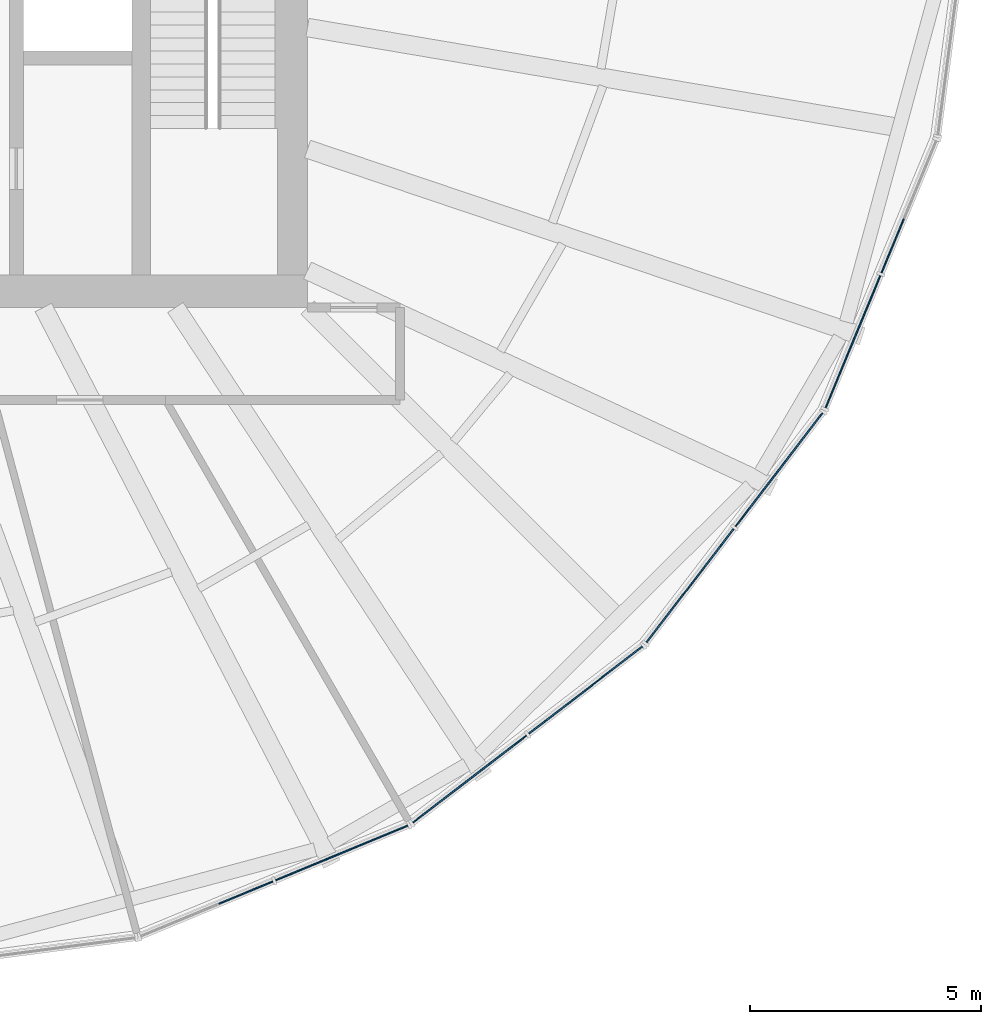
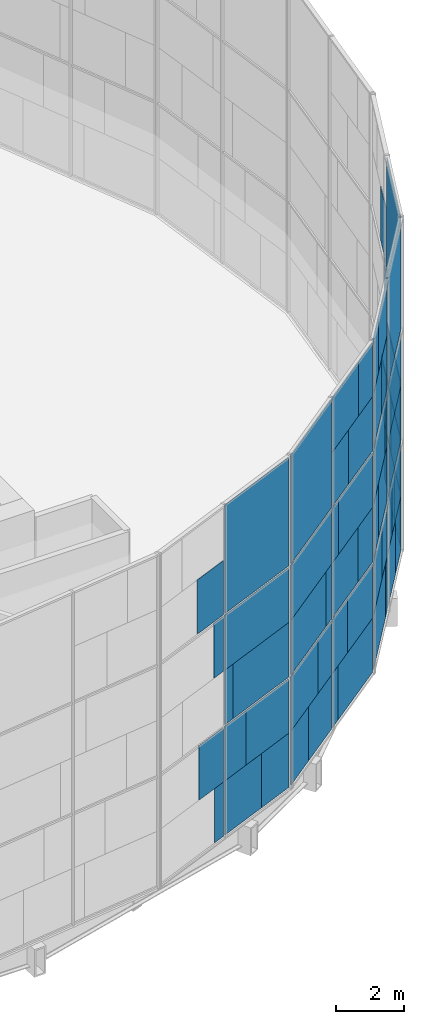
# One storey, part 13 of 22: 64 plates, 4 elements without a shape of their own.
"""IFC4 building model written with IfcOpenShell, lengths in metres."""

from ifc_helpers import new_model, si_unit, direction, frame, origin, origin_2d, place, context, subcontext, project, spatial, rectangle, extrude, material, layer, layer_set, type_object, element, aggregate, save


model = new_model("IFC4")

# Units and contexts
model_context = context("Model", 3, precision=1e-05, world=origin(), true_north=direction((0.0, 1.0)))
body_context = subcontext(model_context, "Body", "Model", "MODEL_VIEW")
ifc_project = project(units=[si_unit("LENGTHUNIT", "METRE"), si_unit("AREAUNIT", "SQUARE_METRE"), si_unit("VOLUMEUNIT", "CUBIC_METRE"), si_unit("PLANEANGLEUNIT", "RADIAN"), si_unit("MASSUNIT", "GRAM", prefix="KILO")], contexts=[model_context])

# Site, building, storey
site_placement = place(None, origin())
site = spatial("IfcSite", under=ifc_project, at=site_placement, CompositionType="ELEMENT")
building_placement = place(site_placement, origin())
building = spatial("IfcBuilding", under=site, at=building_placement, Name="Golbaran Civic Tower", CompositionType="ELEMENT")
storey_placement = place(building_placement, frame((0.0, 0.0, 90.0)))
storey = spatial("IfcBuildingStorey", under=building, at=storey_placement, Name="L21", CompositionType="ELEMENT", Elevation=90.0)

# Curtain wall, plates
ifc_material_1 = material(Name="Aluminium and glass", Category="aluminium")
curtain_wall_type = type_object("IfcCurtainWallType", Name="INNER SKIN CURTAIN WALL", PredefinedType="NOTDEFINED", material=ifc_material_1)
curtain_wall_1_placement = place(storey_placement, origin())
curtain_wall_1 = element("IfcCurtainWall", 1, at=curtain_wall_1_placement, inside=storey, type_object=curtain_wall_type, Name="Inner skin L21 facet 20 CW1", ObjectType="INNER SKIN", PredefinedType="USERDEFINED")
ifc_material_2 = material(Name="Clear insulating glass", Category="glass")
ifc_layer_1 = layer(ifc_material_2, 0.031982421875, Name="Clear insulating glass")
ifc_layer_set_1 = layer_set([ifc_layer_1], Name="Clear insulating glass")
plate_type_1 = type_object("IfcPlateType", Name="INNER SKIN CURTAIN WALL GLAZED PANEL", PredefinedType="CURTAIN_PANEL", material=ifc_layer_set_1)
plate_1_placement = place(storey_placement, frame((9.032958984375, -22.50830078125, 6.0), z_axis=(0.0, 0.0, 1.0), x_axis=(0.923879532511, 0.382683432365, 0.0)))
plate_1 = element("IfcPlate", 2, at=plate_1_placement, type_object=plate_type_1, Name="CW1 panel 1.2 part 4", PredefinedType="CURTAIN_PANEL", context=body_context, shape_type="SweptSolid", body=[
    extrude(rectangle(XDim=0.47119140625, YDim=0.031982421875, at=origin_2d()), origin(), (0.0, 0.0, 1.0), 1.967529296875),
])
plate_2_placement = place(storey_placement, frame((8.66796875, -22.659423828125, 8.032470703125), z_axis=(0.0, 0.0, 1.0), x_axis=(0.923879532511, 0.382683432365, 0.0)))
plate_2 = element("IfcPlate", 3, at=plate_2_placement, type_object=plate_type_1, Name="CW1 panel 1.3 part 2", PredefinedType="CURTAIN_PANEL", context=body_context, shape_type="SweptSolid", body=[
    extrude(rectangle(XDim=1.26123046875, YDim=0.031982421875, at=origin_2d()), origin(), (0.0, 0.0, 1.0), 1.951171875),
])
plate_3_placement = place(storey_placement, frame((11.557861328125, -21.46240234375, 0.06494140625), z_axis=(0.0, 0.0, 1.0), x_axis=(0.923879532511, 0.382683432365, 0.0)))
plate_3 = element("IfcPlate", 4, at=plate_3_placement, type_object=plate_type_1, Name="CW1 panel 2.1 part 2", PredefinedType="CURTAIN_PANEL", context=body_context, shape_type="SweptSolid", body=[
    extrude(rectangle(XDim=1.326416015625, YDim=0.031982421875, at=origin_2d()), origin(), (0.0, 0.0, 1.0), 1.951171875),
])
plate_4_placement = place(storey_placement, frame((11.20751953125, -21.607421875, 2.016357421875), z_axis=(0.0, 0.0, 1.0), x_axis=(0.923879532511, 0.382683432365, 0.0)))
plate_4 = element("IfcPlate", 5, at=plate_4_placement, type_object=plate_type_1, Name="CW1 panel 2.1 part 4", PredefinedType="CURTAIN_PANEL", context=body_context, shape_type="SweptSolid", body=[
    extrude(rectangle(XDim=2.084228515625, YDim=0.031982421875, at=origin_2d()), origin(), (0.0, 0.0, 1.0), 1.951171875),
])
plate_5_placement = place(storey_placement, frame((10.92529296875, -21.724365234375, 4.03271484375), z_axis=(0.0, 0.0, 1.0), x_axis=(0.923879532511, 0.382683432365, 0.0)))
plate_5 = element("IfcPlate", 6, at=plate_5_placement, type_object=plate_type_1, Name="CW1 panel 2.2 part 2", PredefinedType="CURTAIN_PANEL", context=body_context, shape_type="SweptSolid", body=[
    extrude(rectangle(XDim=2.6953125, YDim=0.031982421875, at=origin_2d()), origin(), (0.0, 0.0, 1.0), 1.967529296875),
])
plate_6_placement = place(storey_placement, frame((10.74072265625, -21.801025390625, 6.0), z_axis=(0.0, 0.0, 1.0), x_axis=(0.923879532511, 0.382683432365, 0.0)))
plate_6 = element("IfcPlate", 7, at=plate_6_placement, type_object=plate_type_1, Name="CW1 panel 2.2 part 3", PredefinedType="CURTAIN_PANEL", context=body_context, shape_type="SweptSolid", body=[
    extrude(rectangle(XDim=3.09521484375, YDim=0.031982421875, at=origin_2d()), origin(), (0.0, 0.0, 1.0), 1.967529296875),
])
plate_7_placement = place(storey_placement, frame((10.74072265625, -21.801025390625, 8.0322265625), z_axis=(0.0, 0.0, 1.0), x_axis=(0.923879532511, 0.382683432365, 0.0)))
plate_7 = element("IfcPlate", 8, at=plate_7_placement, type_object=plate_type_1, Name="CW1 panel 2.3", PredefinedType="CURTAIN_PANEL", context=body_context, shape_type="SweptSolid", body=[
    extrude(rectangle(XDim=3.09521484375, YDim=0.031982421875, at=origin_2d()), origin(), (0.0, 0.0, 1.0), 3.902587890625),
])

curtain_wall_2_placement = place(storey_placement, origin())
curtain_wall_2 = element("IfcCurtainWall", 9, at=curtain_wall_2_placement, inside=storey, type_object=curtain_wall_type, Name="Inner skin L21 facet 21 CW1", ObjectType="INNER SKIN", PredefinedType="USERDEFINED")
plate_8_placement = place(storey_placement, frame((12.80810546875, -20.74072265625, 0.06494140625), z_axis=(0.0, 0.0, 1.0), x_axis=(0.793353340344, 0.608761428939, 0.0)))
plate_8 = element("IfcPlate", 10, at=plate_8_placement, type_object=plate_type_1, Name="CW1 panel 1.1 part 1", PredefinedType="CURTAIN_PANEL", context=body_context, shape_type="SweptSolid", body=[
    extrude(rectangle(XDim=1.325927734375, YDim=0.031982421875, at=origin_2d()), origin(), (0.0, 0.0, 1.0), 1.951171875),
])
plate_9_placement = place(storey_placement, frame((13.108642578125, -20.510009765625, 2.016357421875), z_axis=(0.0, 0.0, 1.0), x_axis=(0.793353340344, 0.608761428939, 0.0)))
plate_9 = element("IfcPlate", 11, at=plate_9_placement, type_object=plate_type_1, Name="CW1 panel 1.1 part 3", PredefinedType="CURTAIN_PANEL", context=body_context, shape_type="SweptSolid", body=[
    extrude(rectangle(XDim=2.083984375, YDim=0.031982421875, at=origin_2d()), origin(), (0.0, 0.0, 1.0), 1.951171875),
])
plate_10_placement = place(storey_placement, frame((13.350830078125, -20.32421875, 4.03271484375), z_axis=(0.0, 0.0, 1.0), x_axis=(0.793353340344, 0.608761428939, 0.0)))
plate_10 = element("IfcPlate", 12, at=plate_10_placement, type_object=plate_type_1, Name="CW1 panel 1.2 part 1", PredefinedType="CURTAIN_PANEL", context=body_context, shape_type="SweptSolid", body=[
    extrude(rectangle(XDim=2.694091796875, YDim=0.031982421875, at=origin_2d()), origin(), (0.0, 0.0, 1.0), 1.967529296875),
])
plate_11_placement = place(storey_placement, frame((13.510009765625, -20.2021484375, 6.0), z_axis=(0.0, 0.0, 1.0), x_axis=(0.793353340344, 0.608761428939, 0.0)))
plate_11 = element("IfcPlate", 13, at=plate_11_placement, type_object=plate_type_1, Name="CW1 panel 1.2 part 3", PredefinedType="CURTAIN_PANEL", context=body_context, shape_type="SweptSolid", body=[
    extrude(rectangle(XDim=3.09521484375, YDim=0.031982421875, at=origin_2d()), origin(), (0.0, 0.0, 1.0), 1.967529296875),
])
plate_12_placement = place(storey_placement, frame((13.510009765625, -20.2021484375, 8.0322265625), z_axis=(0.0, 0.0, 1.0), x_axis=(0.793353340344, 0.608761428939, 0.0)))
plate_12 = element("IfcPlate", 14, at=plate_12_placement, type_object=plate_type_1, Name="CW1 panel 1.3", PredefinedType="CURTAIN_PANEL", context=body_context, shape_type="SweptSolid", body=[
    extrude(rectangle(XDim=3.09521484375, YDim=0.031982421875, at=origin_2d()), origin(), (0.0, 0.0, 1.0), 3.902587890625),
])
plate_13_placement = place(storey_placement, frame((16.1884765625, -18.146728515625, 0.06494140625), z_axis=(0.0, 0.0, 1.0), x_axis=(0.793353340344, 0.608761428939, 0.0)))
plate_13 = element("IfcPlate", 15, at=plate_13_placement, type_object=plate_type_1, Name="CW1 panel 2.1 part 2", PredefinedType="CURTAIN_PANEL", context=body_context, shape_type="SweptSolid", body=[
    extrude(rectangle(XDim=2.663330078125, YDim=0.031982421875, at=origin_2d()), origin(), (0.0, 0.0, 1.0), 1.951171875),
])
plate_14_placement = place(storey_placement, frame((16.4892578125, -17.916015625, 2.016357421875), z_axis=(0.0, 0.0, 1.0), x_axis=(0.793353340344, 0.608761428939, 0.0)))
plate_14 = element("IfcPlate", 16, at=plate_14_placement, type_object=plate_type_1, Name="CW1 panel 2.1 part 4", PredefinedType="CURTAIN_PANEL", context=body_context, shape_type="SweptSolid", body=[
    extrude(rectangle(XDim=1.9052734375, YDim=0.031982421875, at=origin_2d()), origin(), (0.0, 0.0, 1.0), 1.951171875),
])
plate_15_placement = place(storey_placement, frame((16.802490234375, -17.675537109375, 4.03271484375), z_axis=(0.0, 0.0, 1.0), x_axis=(0.793353340344, 0.608761428939, 0.0)))
plate_15 = element("IfcPlate", 17, at=plate_15_placement, type_object=plate_type_1, Name="CW1 panel 2.2 part 2", PredefinedType="CURTAIN_PANEL", context=body_context, shape_type="SweptSolid", body=[
    extrude(rectangle(XDim=1.115234375, YDim=0.031982421875, at=origin_2d()), origin(), (0.0, 0.0, 1.0), 1.967529296875),
])
plate_16_placement = place(storey_placement, frame((14.97607421875, -19.0771484375, 6.0), z_axis=(0.0, 0.0, 1.0), x_axis=(0.793353340344, 0.608761428939, 0.0)))
plate_16 = element("IfcPlate", 18, at=plate_16_placement, type_object=plate_type_1, Name="CW1 panel 2.2 part 3", PredefinedType="CURTAIN_PANEL", context=body_context, shape_type="SweptSolid", body=[
    extrude(rectangle(XDim=0.470947265625, YDim=0.031982421875, at=origin_2d()), origin(), (0.0, 0.0, 1.0), 1.967529296875),
])
plate_17_placement = place(storey_placement, frame((15.28955078125, -18.836669921875, 8.032470703125), z_axis=(0.0, 0.0, 1.0), x_axis=(0.793353340344, 0.608761428939, 0.0)))
plate_17 = element("IfcPlate", 19, at=plate_17_placement, type_object=plate_type_1, Name="CW1 panel 2.3 part 1", PredefinedType="CURTAIN_PANEL", context=body_context, shape_type="SweptSolid", body=[
    extrude(rectangle(XDim=1.260986328125, YDim=0.031982421875, at=origin_2d()), origin(), (0.0, 0.0, 1.0), 1.951171875),
])
plate_18_placement = place(storey_placement, frame((15.590576171875, -18.60546875, 9.98388671875), z_axis=(0.0, 0.0, 1.0), x_axis=(0.793353340344, 0.608761428939, 0.0)))
plate_18 = element("IfcPlate", 20, at=plate_18_placement, type_object=plate_type_1, Name="CW1 panel 2.3 part 3", PredefinedType="CURTAIN_PANEL", context=body_context, shape_type="SweptSolid", body=[
    extrude(rectangle(XDim=2.02001953125, YDim=0.031982421875, at=origin_2d()), origin(), (0.0, 0.0, 1.0), 1.951171875),
])

curtain_wall_3_placement = place(storey_placement, origin())
curtain_wall_3 = element("IfcCurtainWall", 21, at=curtain_wall_3_placement, inside=storey, type_object=curtain_wall_type, Name="Inner skin L21 facet 22 CW1", ObjectType="INNER SKIN", PredefinedType="USERDEFINED")
plate_19_placement = place(storey_placement, frame((18.146728515625, -16.188720703125, 0.06494140625), z_axis=(0.0, 0.0, 1.0), x_axis=(0.608761428939, 0.793353340344, 0.0)))
plate_19 = element("IfcPlate", 22, at=plate_19_placement, type_object=plate_type_1, Name="CW1 panel 1.1 part 1", PredefinedType="CURTAIN_PANEL", context=body_context, shape_type="SweptSolid", body=[
    extrude(rectangle(XDim=2.6630859375, YDim=0.031982421875, at=origin_2d()), origin(), (0.0, 0.0, 1.0), 1.951171875),
])
plate_20_placement = place(storey_placement, frame((17.916015625, -16.4892578125, 2.016357421875), z_axis=(0.0, 0.0, 1.0), x_axis=(0.608761428939, 0.793353340344, 0.0)))
plate_20 = element("IfcPlate", 23, at=plate_20_placement, type_object=plate_type_1, Name="CW1 panel 1.1 part 3", PredefinedType="CURTAIN_PANEL", context=body_context, shape_type="SweptSolid", body=[
    extrude(rectangle(XDim=1.905029296875, YDim=0.031982421875, at=origin_2d()), origin(), (0.0, 0.0, 1.0), 1.951171875),
])
plate_21_placement = place(storey_placement, frame((17.67578125, -16.80224609375, 4.03271484375), z_axis=(0.0, 0.0, 1.0), x_axis=(0.608761428939, 0.793353340344, 0.0)))
plate_21 = element("IfcPlate", 24, at=plate_21_placement, type_object=plate_type_1, Name="CW1 panel 1.2 part 1", PredefinedType="CURTAIN_PANEL", context=body_context, shape_type="SweptSolid", body=[
    extrude(rectangle(XDim=1.115966796875, YDim=0.031982421875, at=origin_2d()), origin(), (0.0, 0.0, 1.0), 1.967529296875),
])
plate_22_placement = place(storey_placement, frame((19.076904296875, -14.976318359375, 6.0), z_axis=(0.0, 0.0, 1.0), x_axis=(0.608761428939, 0.793353340344, 0.0)))
plate_22 = element("IfcPlate", 25, at=plate_22_placement, type_object=plate_type_1, Name="CW1 panel 1.2 part 4", PredefinedType="CURTAIN_PANEL", context=body_context, shape_type="SweptSolid", body=[
    extrude(rectangle(XDim=0.47119140625, YDim=0.031982421875, at=origin_2d()), origin(), (0.0, 0.0, 1.0), 1.967529296875),
])
plate_23_placement = place(storey_placement, frame((18.83642578125, -15.28955078125, 8.032470703125), z_axis=(0.0, 0.0, 1.0), x_axis=(0.608761428939, 0.793353340344, 0.0)))
plate_23 = element("IfcPlate", 26, at=plate_23_placement, type_object=plate_type_1, Name="CW1 panel 1.3 part 2", PredefinedType="CURTAIN_PANEL", context=body_context, shape_type="SweptSolid", body=[
    extrude(rectangle(XDim=1.26123046875, YDim=0.031982421875, at=origin_2d()), origin(), (0.0, 0.0, 1.0), 1.951171875),
])
plate_24_placement = place(storey_placement, frame((18.605712890625, -15.59033203125, 9.98388671875), z_axis=(0.0, 0.0, 1.0), x_axis=(0.608761428939, 0.793353340344, 0.0)))
plate_24 = element("IfcPlate", 27, at=plate_24_placement, type_object=plate_type_1, Name="CW1 panel 1.3 part 4", PredefinedType="CURTAIN_PANEL", context=body_context, shape_type="SweptSolid", body=[
    extrude(rectangle(XDim=2.019287109375, YDim=0.031982421875, at=origin_2d()), origin(), (0.0, 0.0, 1.0), 1.951171875),
])
plate_25_placement = place(storey_placement, frame((20.740478515625, -12.80810546875, 0.06494140625), z_axis=(0.0, 0.0, 1.0), x_axis=(0.608761428939, 0.793353340344, 0.0)))
plate_25 = element("IfcPlate", 28, at=plate_25_placement, type_object=plate_type_1, Name="CW1 panel 2.1 part 2", PredefinedType="CURTAIN_PANEL", context=body_context, shape_type="SweptSolid", body=[
    extrude(rectangle(XDim=1.326416015625, YDim=0.031982421875, at=origin_2d()), origin(), (0.0, 0.0, 1.0), 1.951171875),
])
plate_26_placement = place(storey_placement, frame((20.509765625, -13.10888671875, 2.016357421875), z_axis=(0.0, 0.0, 1.0), x_axis=(0.608761428939, 0.793353340344, 0.0)))
plate_26 = element("IfcPlate", 29, at=plate_26_placement, type_object=plate_type_1, Name="CW1 panel 2.1 part 4", PredefinedType="CURTAIN_PANEL", context=body_context, shape_type="SweptSolid", body=[
    extrude(rectangle(XDim=2.084228515625, YDim=0.031982421875, at=origin_2d()), origin(), (0.0, 0.0, 1.0), 1.951171875),
])
plate_27_placement = place(storey_placement, frame((20.323974609375, -13.351318359375, 4.03271484375), z_axis=(0.0, 0.0, 1.0), x_axis=(0.608761428939, 0.793353340344, 0.0)))
plate_27 = element("IfcPlate", 30, at=plate_27_placement, type_object=plate_type_1, Name="CW1 panel 2.2 part 2", PredefinedType="CURTAIN_PANEL", context=body_context, shape_type="SweptSolid", body=[
    extrude(rectangle(XDim=2.6953125, YDim=0.031982421875, at=origin_2d()), origin(), (0.0, 0.0, 1.0), 1.967529296875),
])
plate_28_placement = place(storey_placement, frame((20.2021484375, -13.510009765625, 6.0), z_axis=(0.0, 0.0, 1.0), x_axis=(0.608761428939, 0.793353340344, 0.0)))
plate_28 = element("IfcPlate", 31, at=plate_28_placement, type_object=plate_type_1, Name="CW1 panel 2.2 part 3", PredefinedType="CURTAIN_PANEL", context=body_context, shape_type="SweptSolid", body=[
    extrude(rectangle(XDim=3.09521484375, YDim=0.031982421875, at=origin_2d()), origin(), (0.0, 0.0, 1.0), 1.967529296875),
])
plate_29_placement = place(storey_placement, frame((20.2021484375, -13.510009765625, 8.0322265625), z_axis=(0.0, 0.0, 1.0), x_axis=(0.608761428939, 0.793353340344, 0.0)))
plate_29 = element("IfcPlate", 32, at=plate_29_placement, type_object=plate_type_1, Name="CW1 panel 2.3", PredefinedType="CURTAIN_PANEL", context=body_context, shape_type="SweptSolid", body=[
    extrude(rectangle(XDim=3.09521484375, YDim=0.031982421875, at=origin_2d()), origin(), (0.0, 0.0, 1.0), 3.902587890625),
])

curtain_wall_4_placement = place(storey_placement, origin())
curtain_wall_4 = element("IfcCurtainWall", 33, at=curtain_wall_4_placement, inside=storey, type_object=curtain_wall_type, Name="Inner skin L21 facet 23 CW1", ObjectType="INNER SKIN", PredefinedType="USERDEFINED")
plate_30_placement = place(storey_placement, frame((21.46240234375, -11.557861328125, 0.06494140625), z_axis=(0.0, 0.0, 1.0), x_axis=(0.382683432365, 0.923879532511, 0.0)))
plate_30 = element("IfcPlate", 34, at=plate_30_placement, type_object=plate_type_1, Name="CW1 panel 1.1 part 1", PredefinedType="CURTAIN_PANEL", context=body_context, shape_type="SweptSolid", body=[
    extrude(rectangle(XDim=1.325927734375, YDim=0.031982421875, at=origin_2d()), origin(), (0.0, 0.0, 1.0), 1.951171875),
])
plate_31_placement = place(storey_placement, frame((21.607421875, -11.207763671875, 2.016357421875), z_axis=(0.0, 0.0, 1.0), x_axis=(0.382683432365, 0.923879532511, 0.0)))
plate_31 = element("IfcPlate", 35, at=plate_31_placement, type_object=plate_type_1, Name="CW1 panel 1.1 part 3", PredefinedType="CURTAIN_PANEL", context=body_context, shape_type="SweptSolid", body=[
    extrude(rectangle(XDim=2.083984375, YDim=0.031982421875, at=origin_2d()), origin(), (0.0, 0.0, 1.0), 1.951171875),
])
plate_32_placement = place(storey_placement, frame((21.72412109375, -10.926025390625, 4.03271484375), z_axis=(0.0, 0.0, 1.0), x_axis=(0.382683432365, 0.923879532511, 0.0)))
plate_32 = element("IfcPlate", 36, at=plate_32_placement, type_object=plate_type_1, Name="CW1 panel 1.2 part 1", PredefinedType="CURTAIN_PANEL", context=body_context, shape_type="SweptSolid", body=[
    extrude(rectangle(XDim=2.694091796875, YDim=0.031982421875, at=origin_2d()), origin(), (0.0, 0.0, 1.0), 1.967529296875),
])
plate_33_placement = place(storey_placement, frame((21.801025390625, -10.74072265625, 6.0), z_axis=(0.0, 0.0, 1.0), x_axis=(0.382683432365, 0.923879532511, 0.0)))
plate_33 = element("IfcPlate", 37, at=plate_33_placement, type_object=plate_type_1, Name="CW1 panel 1.2 part 3", PredefinedType="CURTAIN_PANEL", context=body_context, shape_type="SweptSolid", body=[
    extrude(rectangle(XDim=3.09521484375, YDim=0.031982421875, at=origin_2d()), origin(), (0.0, 0.0, 1.0), 1.967529296875),
])
plate_34_placement = place(storey_placement, frame((21.801025390625, -10.74072265625, 8.0322265625), z_axis=(0.0, 0.0, 1.0), x_axis=(0.382683432365, 0.923879532511, 0.0)))
plate_34 = element("IfcPlate", 38, at=plate_34_placement, type_object=plate_type_1, Name="CW1 panel 1.3", PredefinedType="CURTAIN_PANEL", context=body_context, shape_type="SweptSolid", body=[
    extrude(rectangle(XDim=3.09521484375, YDim=0.031982421875, at=origin_2d()), origin(), (0.0, 0.0, 1.0), 3.902587890625),
])
plate_35_placement = place(storey_placement, frame((22.50830078125, -9.033203125, 6.0), z_axis=(0.0, 0.0, 1.0), x_axis=(0.382683432365, 0.923879532511, 0.0)))
plate_35 = element("IfcPlate", 39, at=plate_35_placement, type_object=plate_type_1, Name="CW1 panel 2.2 part 3", PredefinedType="CURTAIN_PANEL", context=body_context, shape_type="SweptSolid", body=[
    extrude(rectangle(XDim=0.470947265625, YDim=0.031982421875, at=origin_2d()), origin(), (0.0, 0.0, 1.0), 1.967529296875),
])
plate_36_placement = place(storey_placement, frame((22.659423828125, -8.668212890625, 8.032470703125), z_axis=(0.0, 0.0, 1.0), x_axis=(0.382683432365, 0.923879532511, 0.0)))
plate_36 = element("IfcPlate", 40, at=plate_36_placement, type_object=plate_type_1, Name="CW1 panel 2.3 part 1", PredefinedType="CURTAIN_PANEL", context=body_context, shape_type="SweptSolid", body=[
    extrude(rectangle(XDim=1.260986328125, YDim=0.031982421875, at=origin_2d()), origin(), (0.0, 0.0, 1.0), 1.951171875),
])

# Plate
ifc_material_3 = material(Name="Aluminium faced opaque infill panel", Category="aluminium")
ifc_layer_2 = layer(ifc_material_3, 0.031982421875, Name="Aluminium faced opaque infill panel")
ifc_layer_set_2 = layer_set([ifc_layer_2], Name="Aluminium faced opaque infill panel")
plate_type_2 = type_object("IfcPlateType", Name="INNER SKIN CURTAIN WALL OPAQUE INFILL PANEL", PredefinedType="CURTAIN_PANEL", material=ifc_layer_set_2)
plate_37_placement = place(storey_placement, frame((9.051025390625, -22.500732421875, 0.06494140625), z_axis=(0.0, 0.0, 1.0), x_axis=(0.923879532511, 0.382683432365, 0.0)))
plate_37 = element("IfcPlate", 41, at=plate_37_placement, type_object=plate_type_2, Name="CW1 infill panel 1.1 part 2", PredefinedType="CURTAIN_PANEL", context=body_context, shape_type="SweptSolid", body=[
    extrude(rectangle(XDim=0.432373046875, YDim=0.031982421875, at=origin_2d()), origin(), (0.0, 0.0, 1.0), 1.951171875),
])

plate_38_placement = place(storey_placement, frame((8.700927734375, -22.645751953125, 2.016357421875), z_axis=(0.0, 0.0, 1.0), x_axis=(0.923879532511, 0.382683432365, 0.0)))
plate_38 = element("IfcPlate", 42, at=plate_38_placement, type_object=plate_type_2, Name="CW1 infill panel 1.1 part 4", PredefinedType="CURTAIN_PANEL", context=body_context, shape_type="SweptSolid", body=[
    extrude(rectangle(XDim=1.190185546875, YDim=0.031982421875, at=origin_2d()), origin(), (0.0, 0.0, 1.0), 1.951171875),
])

plate_39_placement = place(storey_placement, frame((10.1279296875, -22.0546875, 0.06494140625), z_axis=(0.0, 0.0, 1.0), x_axis=(0.923879532511, 0.382683432365, 0.0)))
plate_39 = element("IfcPlate", 43, at=plate_39_placement, type_object=plate_type_2, Name="CW1 infill panel 2.1 part 1", PredefinedType="CURTAIN_PANEL", context=body_context, shape_type="SweptSolid", body=[
    extrude(rectangle(XDim=1.76904296875, YDim=0.031982421875, at=origin_2d()), origin(), (0.0, 0.0, 1.0), 1.951171875),
])

plate_40_placement = place(storey_placement, frame((9.77783203125, -22.19970703125, 2.016357421875), z_axis=(0.0, 0.0, 1.0), x_axis=(0.923879532511, 0.382683432365, 0.0)))
plate_40 = element("IfcPlate", 44, at=plate_40_placement, type_object=plate_type_2, Name="CW1 infill panel 2.1 part 3", PredefinedType="CURTAIN_PANEL", context=body_context, shape_type="SweptSolid", body=[
    extrude(rectangle(XDim=1.010986328125, YDim=0.031982421875, at=origin_2d()), origin(), (0.0, 0.0, 1.0), 1.951171875),
])

plate_41_placement = place(storey_placement, frame((9.49560546875, -22.316650390625, 4.03271484375), z_axis=(0.0, 0.0, 1.0), x_axis=(0.923879532511, 0.382683432365, 0.0)))
plate_41 = element("IfcPlate", 45, at=plate_41_placement, type_object=plate_type_2, Name="CW1 infill panel 2.2 part 1", PredefinedType="CURTAIN_PANEL", context=body_context, shape_type="SweptSolid", body=[
    extrude(rectangle(XDim=0.39990234375, YDim=0.031982421875, at=origin_2d()), origin(), (0.0, 0.0, 1.0), 1.967529296875),
])

aggregate(curtain_wall_1, [plate_37, plate_38, plate_1, plate_2, plate_39, plate_3, plate_40, plate_4, plate_41, plate_5, plate_6, plate_7])

plate_42_placement = place(storey_placement, frame((14.035888671875, -19.798583984375, 0.06494140625), z_axis=(0.0, 0.0, 1.0), x_axis=(0.793353340344, 0.608761428939, 0.0)))
plate_42 = element("IfcPlate", 46, at=plate_42_placement, type_object=plate_type_2, Name="CW1 infill panel 1.1 part 2", PredefinedType="CURTAIN_PANEL", context=body_context, shape_type="SweptSolid", body=[
    extrude(rectangle(XDim=1.769287109375, YDim=0.031982421875, at=origin_2d()), origin(), (0.0, 0.0, 1.0), 1.951171875),
])

plate_43_placement = place(storey_placement, frame((14.336669921875, -19.56787109375, 2.016357421875), z_axis=(0.0, 0.0, 1.0), x_axis=(0.793353340344, 0.608761428939, 0.0)))
plate_43 = element("IfcPlate", 47, at=plate_43_placement, type_object=plate_type_2, Name="CW1 infill panel 1.1 part 4", PredefinedType="CURTAIN_PANEL", context=body_context, shape_type="SweptSolid", body=[
    extrude(rectangle(XDim=1.01123046875, YDim=0.031982421875, at=origin_2d()), origin(), (0.0, 0.0, 1.0), 1.951171875),
])

plate_44_placement = place(storey_placement, frame((14.57861328125, -19.382080078125, 4.03271484375), z_axis=(0.0, 0.0, 1.0), x_axis=(0.793353340344, 0.608761428939, 0.0)))
plate_44 = element("IfcPlate", 48, at=plate_44_placement, type_object=plate_type_2, Name="CW1 infill panel 1.2 part 2", PredefinedType="CURTAIN_PANEL", context=body_context, shape_type="SweptSolid", body=[
    extrude(rectangle(XDim=0.4013671875, YDim=0.031982421875, at=origin_2d()), origin(), (0.0, 0.0, 1.0), 1.967529296875),
])

plate_45_placement = place(storey_placement, frame((14.960693359375, -19.0888671875, 0.06494140625), z_axis=(0.0, 0.0, 1.0), x_axis=(0.793353340344, 0.608761428939, 0.0)))
plate_45 = element("IfcPlate", 49, at=plate_45_placement, type_object=plate_type_2, Name="CW1 infill panel 2.1 part 1", PredefinedType="CURTAIN_PANEL", context=body_context, shape_type="SweptSolid", body=[
    extrude(rectangle(XDim=0.431884765625, YDim=0.031982421875, at=origin_2d()), origin(), (0.0, 0.0, 1.0), 1.951171875),
])

plate_46_placement = place(storey_placement, frame((15.26123046875, -18.858154296875, 2.016357421875), z_axis=(0.0, 0.0, 1.0), x_axis=(0.793353340344, 0.608761428939, 0.0)))
plate_46 = element("IfcPlate", 50, at=plate_46_placement, type_object=plate_type_2, Name="CW1 infill panel 2.1 part 3", PredefinedType="CURTAIN_PANEL", context=body_context, shape_type="SweptSolid", body=[
    extrude(rectangle(XDim=1.18994140625, YDim=0.031982421875, at=origin_2d()), origin(), (0.0, 0.0, 1.0), 1.951171875),
])

plate_47_placement = place(storey_placement, frame((15.57470703125, -18.61767578125, 4.03271484375), z_axis=(0.0, 0.0, 1.0), x_axis=(0.793353340344, 0.608761428939, 0.0)))
plate_47 = element("IfcPlate", 51, at=plate_47_placement, type_object=plate_type_2, Name="CW1 infill panel 2.2 part 1", PredefinedType="CURTAIN_PANEL", context=body_context, shape_type="SweptSolid", body=[
    extrude(rectangle(XDim=1.97998046875, YDim=0.031982421875, at=origin_2d()), origin(), (0.0, 0.0, 1.0), 1.967529296875),
])

plate_48_placement = place(storey_placement, frame((16.203857421875, -18.135009765625, 6.0), z_axis=(0.0, 0.0, 1.0), x_axis=(0.793353340344, 0.608761428939, 0.0)))
plate_48 = element("IfcPlate", 52, at=plate_48_placement, type_object=plate_type_2, Name="CW1 infill panel 2.2 part 4", PredefinedType="CURTAIN_PANEL", context=body_context, shape_type="SweptSolid", body=[
    extrude(rectangle(XDim=2.624267578125, YDim=0.031982421875, at=origin_2d()), origin(), (0.0, 0.0, 1.0), 1.967529296875),
])

plate_49_placement = place(storey_placement, frame((16.517333984375, -17.89453125, 8.032470703125), z_axis=(0.0, 0.0, 1.0), x_axis=(0.793353340344, 0.608761428939, 0.0)))
plate_49 = element("IfcPlate", 53, at=plate_49_placement, type_object=plate_type_2, Name="CW1 infill panel 2.3 part 2", PredefinedType="CURTAIN_PANEL", context=body_context, shape_type="SweptSolid", body=[
    extrude(rectangle(XDim=1.834228515625, YDim=0.031982421875, at=origin_2d()), origin(), (0.0, 0.0, 1.0), 1.951171875),
])

plate_50_placement = place(storey_placement, frame((16.818359375, -17.663330078125, 9.98388671875), z_axis=(0.0, 0.0, 1.0), x_axis=(0.793353340344, 0.608761428939, 0.0)))
plate_50 = element("IfcPlate", 54, at=plate_50_placement, type_object=plate_type_2, Name="CW1 infill panel 2.3 part 4", PredefinedType="CURTAIN_PANEL", context=body_context, shape_type="SweptSolid", body=[
    extrude(rectangle(XDim=1.0751953125, YDim=0.031982421875, at=origin_2d()), origin(), (0.0, 0.0, 1.0), 1.951171875),
])

aggregate(curtain_wall_2, [plate_8, plate_42, plate_9, plate_43, plate_10, plate_44, plate_11, plate_12, plate_45, plate_13, plate_46, plate_14, plate_47, plate_15, plate_16, plate_48, plate_17, plate_49, plate_18, plate_50])

plate_51_placement = place(storey_placement, frame((19.0888671875, -14.960693359375, 0.06494140625), z_axis=(0.0, 0.0, 1.0), x_axis=(0.608761428939, 0.793353340344, 0.0)))
plate_51 = element("IfcPlate", 55, at=plate_51_placement, type_object=plate_type_2, Name="CW1 infill panel 1.1 part 2", PredefinedType="CURTAIN_PANEL", context=body_context, shape_type="SweptSolid", body=[
    extrude(rectangle(XDim=0.432373046875, YDim=0.031982421875, at=origin_2d()), origin(), (0.0, 0.0, 1.0), 1.951171875),
])

plate_52_placement = place(storey_placement, frame((18.858154296875, -15.261474609375, 2.016357421875), z_axis=(0.0, 0.0, 1.0), x_axis=(0.608761428939, 0.793353340344, 0.0)))
plate_52 = element("IfcPlate", 56, at=plate_52_placement, type_object=plate_type_2, Name="CW1 infill panel 1.1 part 4", PredefinedType="CURTAIN_PANEL", context=body_context, shape_type="SweptSolid", body=[
    extrude(rectangle(XDim=1.190185546875, YDim=0.031982421875, at=origin_2d()), origin(), (0.0, 0.0, 1.0), 1.951171875),
])

plate_53_placement = place(storey_placement, frame((18.617919921875, -15.574462890625, 4.03271484375), z_axis=(0.0, 0.0, 1.0), x_axis=(0.608761428939, 0.793353340344, 0.0)))
plate_53 = element("IfcPlate", 57, at=plate_53_placement, type_object=plate_type_2, Name="CW1 infill panel 1.2 part 2", PredefinedType="CURTAIN_PANEL", context=body_context, shape_type="SweptSolid", body=[
    extrude(rectangle(XDim=1.979248046875, YDim=0.031982421875, at=origin_2d()), origin(), (0.0, 0.0, 1.0), 1.967529296875),
])

plate_54_placement = place(storey_placement, frame((18.134765625, -16.2041015625, 6.0), z_axis=(0.0, 0.0, 1.0), x_axis=(0.608761428939, 0.793353340344, 0.0)))
plate_54 = element("IfcPlate", 58, at=plate_54_placement, type_object=plate_type_2, Name="CW1 infill panel 1.2 part 3", PredefinedType="CURTAIN_PANEL", context=body_context, shape_type="SweptSolid", body=[
    extrude(rectangle(XDim=2.6240234375, YDim=0.031982421875, at=origin_2d()), origin(), (0.0, 0.0, 1.0), 1.967529296875),
])

plate_55_placement = place(storey_placement, frame((17.894287109375, -16.517578125, 8.032470703125), z_axis=(0.0, 0.0, 1.0), x_axis=(0.608761428939, 0.793353340344, 0.0)))
plate_55 = element("IfcPlate", 59, at=plate_55_placement, type_object=plate_type_2, Name="CW1 infill panel 1.3 part 1", PredefinedType="CURTAIN_PANEL", context=body_context, shape_type="SweptSolid", body=[
    extrude(rectangle(XDim=1.833984375, YDim=0.031982421875, at=origin_2d()), origin(), (0.0, 0.0, 1.0), 1.951171875),
])

plate_56_placement = place(storey_placement, frame((17.66357421875, -16.818115234375, 9.98388671875), z_axis=(0.0, 0.0, 1.0), x_axis=(0.608761428939, 0.793353340344, 0.0)))
plate_56 = element("IfcPlate", 60, at=plate_56_placement, type_object=plate_type_2, Name="CW1 infill panel 1.3 part 3", PredefinedType="CURTAIN_PANEL", context=body_context, shape_type="SweptSolid", body=[
    extrude(rectangle(XDim=1.075927734375, YDim=0.031982421875, at=origin_2d()), origin(), (0.0, 0.0, 1.0), 1.951171875),
])

plate_57_placement = place(storey_placement, frame((19.79833984375, -14.0361328125, 0.06494140625), z_axis=(0.0, 0.0, 1.0), x_axis=(0.608761428939, 0.793353340344, 0.0)))
plate_57 = element("IfcPlate", 61, at=plate_57_placement, type_object=plate_type_2, Name="CW1 infill panel 2.1 part 1", PredefinedType="CURTAIN_PANEL", context=body_context, shape_type="SweptSolid", body=[
    extrude(rectangle(XDim=1.76904296875, YDim=0.031982421875, at=origin_2d()), origin(), (0.0, 0.0, 1.0), 1.951171875),
])

plate_58_placement = place(storey_placement, frame((19.567626953125, -14.336669921875, 2.016357421875), z_axis=(0.0, 0.0, 1.0), x_axis=(0.608761428939, 0.793353340344, 0.0)))
plate_58 = element("IfcPlate", 62, at=plate_58_placement, type_object=plate_type_2, Name="CW1 infill panel 2.1 part 3", PredefinedType="CURTAIN_PANEL", context=body_context, shape_type="SweptSolid", body=[
    extrude(rectangle(XDim=1.010986328125, YDim=0.031982421875, at=origin_2d()), origin(), (0.0, 0.0, 1.0), 1.951171875),
])

plate_59_placement = place(storey_placement, frame((19.3818359375, -14.5791015625, 4.03271484375), z_axis=(0.0, 0.0, 1.0), x_axis=(0.608761428939, 0.793353340344, 0.0)))
plate_59 = element("IfcPlate", 63, at=plate_59_placement, type_object=plate_type_2, Name="CW1 infill panel 2.2 part 1", PredefinedType="CURTAIN_PANEL", context=body_context, shape_type="SweptSolid", body=[
    extrude(rectangle(XDim=0.39990234375, YDim=0.031982421875, at=origin_2d()), origin(), (0.0, 0.0, 1.0), 1.967529296875),
])

aggregate(curtain_wall_3, [plate_19, plate_51, plate_20, plate_52, plate_21, plate_53, plate_54, plate_22, plate_55, plate_23, plate_56, plate_24, plate_57, plate_25, plate_58, plate_26, plate_59, plate_27, plate_28, plate_29])

plate_60_placement = place(storey_placement, frame((22.0546875, -10.128173828125, 0.06494140625), z_axis=(0.0, 0.0, 1.0), x_axis=(0.382683432365, 0.923879532511, 0.0)))
plate_60 = element("IfcPlate", 64, at=plate_60_placement, type_object=plate_type_2, Name="CW1 infill panel 1.1 part 2", PredefinedType="CURTAIN_PANEL", context=body_context, shape_type="SweptSolid", body=[
    extrude(rectangle(XDim=1.769287109375, YDim=0.031982421875, at=origin_2d()), origin(), (0.0, 0.0, 1.0), 1.951171875),
])

plate_61_placement = place(storey_placement, frame((22.19970703125, -9.77783203125, 2.016357421875), z_axis=(0.0, 0.0, 1.0), x_axis=(0.382683432365, 0.923879532511, 0.0)))
plate_61 = element("IfcPlate", 65, at=plate_61_placement, type_object=plate_type_2, Name="CW1 infill panel 1.1 part 4", PredefinedType="CURTAIN_PANEL", context=body_context, shape_type="SweptSolid", body=[
    extrude(rectangle(XDim=1.01123046875, YDim=0.031982421875, at=origin_2d()), origin(), (0.0, 0.0, 1.0), 1.951171875),
])

plate_62_placement = place(storey_placement, frame((22.31640625, -9.49609375, 4.03271484375), z_axis=(0.0, 0.0, 1.0), x_axis=(0.382683432365, 0.923879532511, 0.0)))
plate_62 = element("IfcPlate", 66, at=plate_62_placement, type_object=plate_type_2, Name="CW1 infill panel 1.2 part 2", PredefinedType="CURTAIN_PANEL", context=body_context, shape_type="SweptSolid", body=[
    extrude(rectangle(XDim=0.4013671875, YDim=0.031982421875, at=origin_2d()), origin(), (0.0, 0.0, 1.0), 1.967529296875),
])

plate_63_placement = place(storey_placement, frame((22.500732421875, -9.05126953125, 0.06494140625), z_axis=(0.0, 0.0, 1.0), x_axis=(0.382683432365, 0.923879532511, 0.0)))
plate_63 = element("IfcPlate", 67, at=plate_63_placement, type_object=plate_type_2, Name="CW1 infill panel 2.1 part 1", PredefinedType="CURTAIN_PANEL", context=body_context, shape_type="SweptSolid", body=[
    extrude(rectangle(XDim=0.431884765625, YDim=0.031982421875, at=origin_2d()), origin(), (0.0, 0.0, 1.0), 1.951171875),
])

plate_64_placement = place(storey_placement, frame((22.645751953125, -8.700927734375, 2.016357421875), z_axis=(0.0, 0.0, 1.0), x_axis=(0.382683432365, 0.923879532511, 0.0)))
plate_64 = element("IfcPlate", 68, at=plate_64_placement, type_object=plate_type_2, Name="CW1 infill panel 2.1 part 3", PredefinedType="CURTAIN_PANEL", context=body_context, shape_type="SweptSolid", body=[
    extrude(rectangle(XDim=1.18994140625, YDim=0.031982421875, at=origin_2d()), origin(), (0.0, 0.0, 1.0), 1.951171875),
])

aggregate(curtain_wall_4, [plate_30, plate_60, plate_31, plate_61, plate_32, plate_62, plate_33, plate_34, plate_63, plate_64, plate_35, plate_36])

save(model, "model.ifc")
